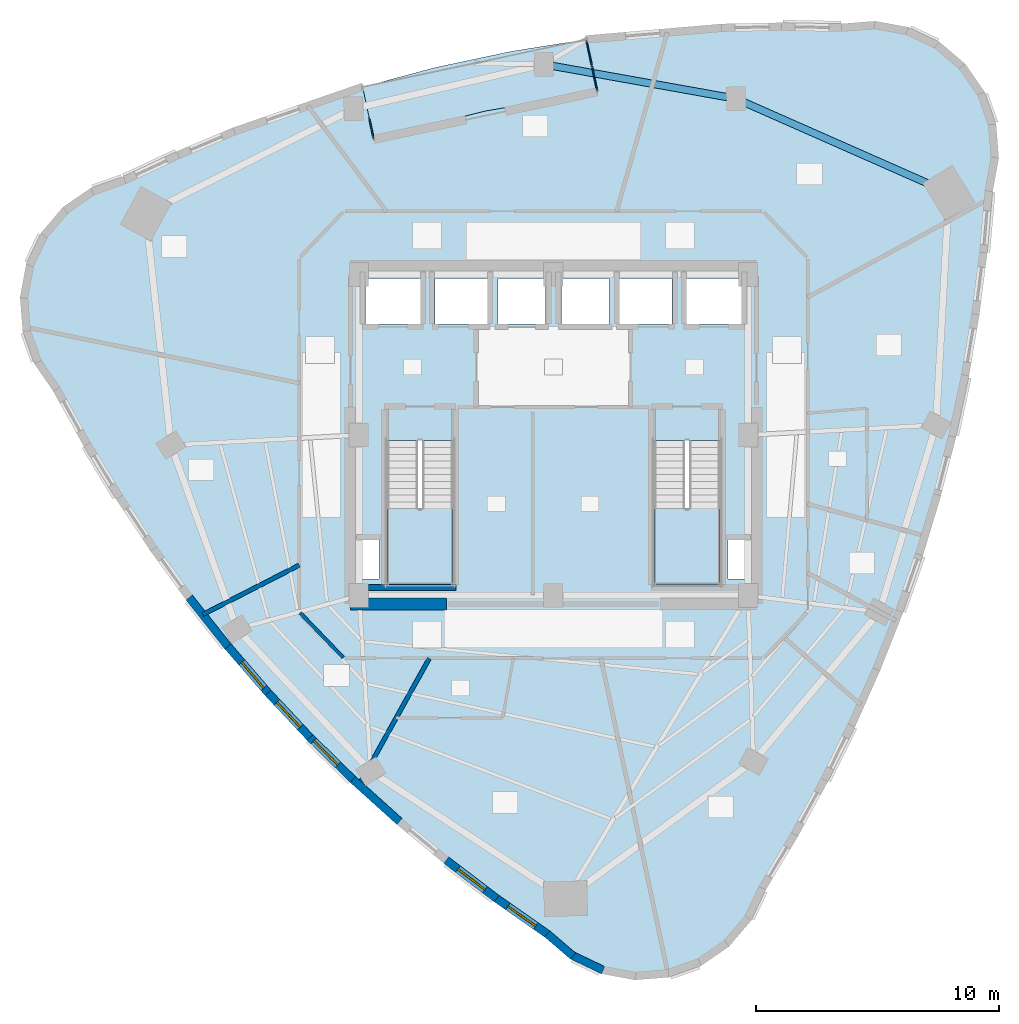
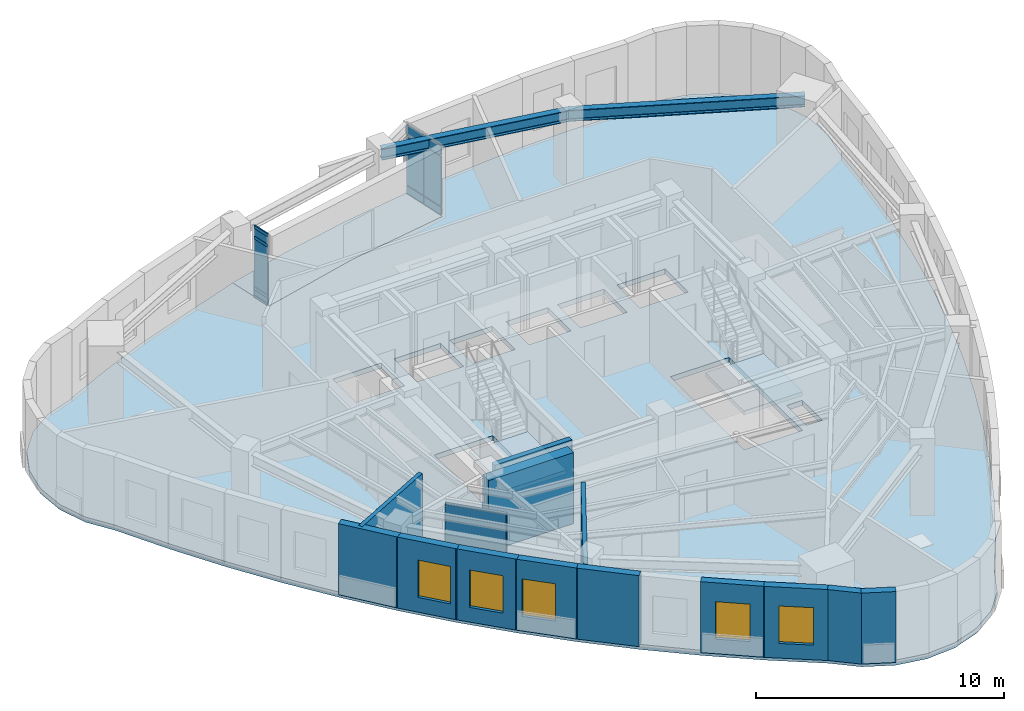
# One storey, part 3 of 10: 14 walls, 9 plates, 5 windows, 4 members, 4 slabs, 2 beams, 5 openings, 4 elements without a shape of their own.
"""IFC4 building model written with IfcOpenShell, lengths in metres."""

from ifc_helpers import new_model, si_unit, direction, frame, frame_2d, origin, origin_2d, place, context, subcontext, project, spatial, polyline, rectangle, hollow_rectangle, i_section, outline, extrude, material, layer, layer_set, material_profile, profile_set, type_object, element, fill, aggregate, save


model = new_model("IFC4")

# Units and contexts
model_context = context("Model", 3, precision=1e-05, world=origin(), true_north=direction((0.0, 1.0)))
body_context = subcontext(model_context, "Body", "Model", "MODEL_VIEW")
ifc_project = project(units=[si_unit("LENGTHUNIT", "METRE"), si_unit("AREAUNIT", "SQUARE_METRE"), si_unit("VOLUMEUNIT", "CUBIC_METRE"), si_unit("PLANEANGLEUNIT", "RADIAN"), si_unit("MASSUNIT", "GRAM", prefix="KILO")], contexts=[model_context])

# Site, building, storey
site_placement = place(None, origin())
site = spatial("IfcSite", under=ifc_project, at=site_placement, CompositionType="ELEMENT")
building_placement = place(site_placement, origin())
building = spatial("IfcBuilding", under=site, at=building_placement, Name="Ndelora Gate Hotel", CompositionType="ELEMENT")
storey_placement = place(building_placement, frame((0.0, 0.0, 251.14990234375)))
storey = spatial("IfcBuildingStorey", under=building, at=storey_placement, Name="L63", CompositionType="ELEMENT", Elevation=251.14990234375)

# Beams
ifc_material_1 = material(Name="Steel S355", Category="steel")
ifc_material_profile_1 = material_profile(ifc_material_1, i_section(OverallWidth=0.300048828125, OverallDepth=0.550048828125, WebThickness=0.014892578125, FlangeThickness=0.029052734375, FilletRadius=0.027099609375, at=origin_2d()), Name="HEB 550")
ifc_profile_set_1 = profile_set([ifc_material_profile_1], Name="Steel S355")
beam_type = type_object("IfcBeamType", Name="BM-RING-550", PredefinedType="SPANDREL", material=ifc_profile_set_1)
beam_1_placement = place(storey_placement, frame((16.26025390625, 9.96435546875, 3.215087890625), z_axis=(-0.914807449647, 0.403890245078, 0.0), x_axis=(-0.403890245078, -0.914807449647, 0.0)))
element("IfcBeam", 1, at=beam_1_placement, inside=storey, type_object=beam_type, Name="L63 Perimeter Spandrel Girder 9", PredefinedType="SPANDREL", context=body_context, shape_type="SweptSolid", body=[
    extrude(i_section(OverallWidth=0.300048828125, OverallDepth=0.550048828125, WebThickness=0.014892578125, FlangeThickness=0.029052734375, FilletRadius=0.027099609375, at=origin_2d()), origin(), (0.0, 0.0, 1.0), 9.56689453125),
])
beam_2_placement = place(storey_placement, frame((7.50830078125, 13.828369140625, 3.215087890625), z_axis=(-0.984373619655, 0.176092523767, 0.0), x_axis=(-0.176092523767, -0.984373619655, 0.0)))
element("IfcBeam", 2, at=beam_2_placement, inside=storey, type_object=beam_type, Name="L63 Perimeter Spandrel Girder 10", PredefinedType="SPANDREL", context=body_context, shape_type="SweptSolid", body=[
    extrude(i_section(OverallWidth=0.300048828125, OverallDepth=0.550048828125, WebThickness=0.014892578125, FlangeThickness=0.029052734375, FilletRadius=0.027099609375, at=origin_2d()), origin(), (0.0, 0.0, 1.0), 8.032958984375),
])

# Curtain wall, members
ifc_material_2 = material(Name="Bronze Anodised Unitised Aluminium and Low-E Glass", Category="aluminium")
ifc_layer_1 = layer(ifc_material_2, 0.199951171875)
ifc_layer_set_1 = layer_set([ifc_layer_1], Name="Bronze Anodised Unitised Aluminium and Low-E Glass")
curtain_wall_type = type_object("IfcCurtainWallType", Name="CW-SYS-3", PredefinedType="NOTDEFINED", material=ifc_layer_set_1)
curtain_wall_1_placement = place(storey_placement, origin())
curtain_wall_1 = element("IfcCurtainWall", 3, at=curtain_wall_1_placement, inside=storey, type_object=curtain_wall_type, Name="L63 Sky-Garden Loggia Side Curtain Wall CW3-2", PredefinedType="NOTDEFINED")
ifc_material_3 = material(Name="Bronze Anodised Aluminium 6063-T6", Category="aluminium")
ifc_material_profile_2 = material_profile(ifc_material_3, hollow_rectangle(XDim=0.06494140625, YDim=0.159912109375, WallThickness=0.00390625, InnerFilletRadius=0.00390625, OuterFilletRadius=0.008056640625, at=origin_2d()), Name="ALU 160x65x4")
ifc_profile_set_2 = profile_set([ifc_material_profile_2], Name="Bronze Anodised Aluminium 6063-T6")
member_type = type_object("IfcMemberType", Name="MB-CW-TRN150", PredefinedType="USERDEFINED", material=ifc_profile_set_2)
member_1_placement = place(storey_placement, frame((-7.572998046875, 13.0224609375, 0.03271484375), z_axis=(0.207787852876, -0.978173915108, 0.0), x_axis=(0.978173915108, 0.207787852876, 0.0)))
member_1 = element("IfcMember", 4, at=member_1_placement, type_object=member_type, Name="CW3 transom 1.1", ObjectType="TRANSOM", PredefinedType="USERDEFINED", context=body_context, shape_type="SweptSolid", body=[
    extrude(hollow_rectangle(XDim=0.06494140625, YDim=0.159912109375, WallThickness=0.00390625, InnerFilletRadius=0.00390625, OuterFilletRadius=0.008056640625, at=origin_2d()), origin(), (0.0, 0.0, 1.0), 0.82373046875),
])
member_2_placement = place(storey_placement, frame((-7.572998046875, 13.0224609375, 0.4501953125), z_axis=(0.207787852876, -0.978173915108, 0.0), x_axis=(0.978173915108, 0.207787852876, 0.0)))
member_2 = element("IfcMember", 5, at=member_2_placement, type_object=member_type, Name="CW3 transom 1.2", ObjectType="TRANSOM", PredefinedType="USERDEFINED", context=body_context, shape_type="SweptSolid", body=[
    extrude(hollow_rectangle(XDim=0.06494140625, YDim=0.159912109375, WallThickness=0.00390625, InnerFilletRadius=0.00390625, OuterFilletRadius=0.008056640625, at=origin_2d()), origin(), (0.0, 0.0, 1.0), 0.82373046875),
])
member_3_placement = place(storey_placement, frame((-7.572998046875, 13.0224609375, 2.940185546875), z_axis=(0.207787852876, -0.978173915108, 0.0), x_axis=(0.978173915108, 0.207787852876, 0.0)))
member_3 = element("IfcMember", 6, at=member_3_placement, type_object=member_type, Name="CW3 transom 1.3", ObjectType="TRANSOM", PredefinedType="USERDEFINED", context=body_context, shape_type="SweptSolid", body=[
    extrude(hollow_rectangle(XDim=0.06494140625, YDim=0.159912109375, WallThickness=0.00390625, InnerFilletRadius=0.00390625, OuterFilletRadius=0.008056640625, at=origin_2d()), origin(), (0.0, 0.0, 1.0), 0.82373046875),
])
member_4_placement = place(storey_placement, frame((-7.572998046875, 13.0224609375, 3.45751953125), z_axis=(0.207787852876, -0.978173915108, 0.0), x_axis=(0.978173915108, 0.207787852876, 0.0)))
member_4 = element("IfcMember", 7, at=member_4_placement, type_object=member_type, Name="CW3 transom 1.4", ObjectType="TRANSOM", PredefinedType="USERDEFINED", context=body_context, shape_type="SweptSolid", body=[
    extrude(hollow_rectangle(XDim=0.06494140625, YDim=0.159912109375, WallThickness=0.00390625, InnerFilletRadius=0.00390625, OuterFilletRadius=0.008056640625, at=origin_2d()), origin(), (0.0, 0.0, 1.0), 0.82373046875),
])

# Curtain wall, plates
curtain_wall_2_placement = place(storey_placement, origin())
curtain_wall_2 = element("IfcCurtainWall", 8, at=curtain_wall_2_placement, inside=storey, type_object=curtain_wall_type, Name="L63 Sky-Garden Loggia Side Curtain Wall CW3-1", PredefinedType="NOTDEFINED")
ifc_material_4 = material(Name="Solar-Control Low-E Insulated Glazing", Category="glass")
ifc_layer_2 = layer(ifc_material_4, 0.048095703125)
ifc_layer_set_2 = layer_set([ifc_layer_2], Name="Solar-Control Low-E Insulated Glazing")
plate_type = type_object("IfcPlateType", Name="PL-CW-GLZ36", PredefinedType="CURTAIN_PANEL", material=ifc_layer_set_2)
plate_1_placement = place(storey_placement, frame((1.687255859375, 14.66748046875, 0.05908203125), z_axis=(0.0, 0.0, 1.0), x_axis=(-0.207911488567, 0.978147643724, 0.0)))
plate_1 = element("IfcPlate", 9, at=plate_1_placement, type_object=plate_type, Name="CW3 panel 1.1", PredefinedType="CURTAIN_PANEL", context=body_context, shape_type="SweptSolid", body=[
    extrude(rectangle(XDim=1.014404296875, YDim=0.048095703125, at=origin_2d()), origin(), (0.0, 0.0, 1.0), 0.364501953125),
])
plate_2_placement = place(storey_placement, frame((1.687255859375, 14.66748046875, 0.4765625), z_axis=(0.0, 0.0, 1.0), x_axis=(-0.207911488567, 0.978147643724, 0.0)))
plate_2 = element("IfcPlate", 10, at=plate_2_placement, type_object=plate_type, Name="CW3 panel 1.2", PredefinedType="CURTAIN_PANEL", context=body_context, shape_type="SweptSolid", body=[
    extrude(rectangle(XDim=1.014404296875, YDim=0.048095703125, at=origin_2d()), origin(), (0.0, 0.0, 1.0), 2.43701171875),
])
plate_3_placement = place(storey_placement, frame((1.687255859375, 14.66748046875, 2.96630859375), z_axis=(0.0, 0.0, 1.0), x_axis=(-0.207911488567, 0.978147643724, 0.0)))
plate_3 = element("IfcPlate", 11, at=plate_3_placement, type_object=plate_type, Name="CW3 panel 1.3", PredefinedType="CURTAIN_PANEL", context=body_context, shape_type="SweptSolid", body=[
    extrude(rectangle(XDim=1.014404296875, YDim=0.048095703125, at=origin_2d()), origin(), (0.0, 0.0, 1.0), 0.464599609375),
])
plate_4_placement = place(storey_placement, frame((1.46533203125, 15.711669921875, 0.05908203125), z_axis=(0.0, 0.0, 1.0), x_axis=(-0.207911488567, 0.978147643724, 0.0)))
plate_4 = element("IfcPlate", 12, at=plate_4_placement, type_object=plate_type, Name="CW3 panel 2.1", PredefinedType="CURTAIN_PANEL", context=body_context, shape_type="SweptSolid", body=[
    extrude(rectangle(XDim=1.014404296875, YDim=0.048095703125, at=origin_2d()), origin(), (0.0, 0.0, 1.0), 0.364501953125),
])
plate_5_placement = place(storey_placement, frame((1.46533203125, 15.711669921875, 0.4765625), z_axis=(0.0, 0.0, 1.0), x_axis=(-0.207911488567, 0.978147643724, 0.0)))
plate_5 = element("IfcPlate", 13, at=plate_5_placement, type_object=plate_type, Name="CW3 panel 2.2", PredefinedType="CURTAIN_PANEL", context=body_context, shape_type="SweptSolid", body=[
    extrude(rectangle(XDim=1.014404296875, YDim=0.048095703125, at=origin_2d()), origin(), (0.0, 0.0, 1.0), 2.43701171875),
])
plate_6_placement = place(storey_placement, frame((1.46533203125, 15.711669921875, 2.96630859375), z_axis=(0.0, 0.0, 1.0), x_axis=(-0.207911488567, 0.978147643724, 0.0)))
plate_6 = element("IfcPlate", 14, at=plate_6_placement, type_object=plate_type, Name="CW3 panel 2.3", PredefinedType="CURTAIN_PANEL", context=body_context, shape_type="SweptSolid", body=[
    extrude(rectangle(XDim=1.014404296875, YDim=0.048095703125, at=origin_2d()), origin(), (0.0, 0.0, 1.0), 0.464599609375),
])
aggregate(curtain_wall_2, [plate_1, plate_2, plate_3, plate_4, plate_5, plate_6])

# Plate
plate_7_placement = place(storey_placement, frame((-7.4873046875, 12.61962890625, 0.05908203125), z_axis=(0.0, 0.0, 1.0), x_axis=(0.207947668555, -0.978139952738, 0.0)))
plate_7 = element("IfcPlate", 15, at=plate_7_placement, type_object=plate_type, Name="CW3 panel 1.1", PredefinedType="CURTAIN_PANEL", context=body_context, shape_type="SweptSolid", body=[
    extrude(rectangle(XDim=0.823486328125, YDim=0.048095703125, at=origin_2d()), origin(), (0.0, 0.0, 1.0), 0.364501953125),
])

plate_8_placement = place(storey_placement, frame((-7.4873046875, 12.61962890625, 0.4765625), z_axis=(0.0, 0.0, 1.0), x_axis=(0.207947668555, -0.978139952738, 0.0)))
plate_8 = element("IfcPlate", 16, at=plate_8_placement, type_object=plate_type, Name="CW3 panel 1.2", PredefinedType="CURTAIN_PANEL", context=body_context, shape_type="SweptSolid", body=[
    extrude(rectangle(XDim=0.823486328125, YDim=0.048095703125, at=origin_2d()), origin(), (0.0, 0.0, 1.0), 2.43701171875),
])

plate_9_placement = place(storey_placement, frame((-7.4873046875, 12.61962890625, 2.96630859375), z_axis=(0.0, 0.0, 1.0), x_axis=(0.207947668555, -0.978139952738, 0.0)))
plate_9 = element("IfcPlate", 17, at=plate_9_placement, type_object=plate_type, Name="CW3 panel 1.3", PredefinedType="CURTAIN_PANEL", context=body_context, shape_type="SweptSolid", body=[
    extrude(rectangle(XDim=0.823486328125, YDim=0.048095703125, at=origin_2d()), origin(), (0.0, 0.0, 1.0), 0.464599609375),
])

aggregate(curtain_wall_1, [member_1, member_2, member_3, member_4, plate_7, plate_8, plate_9])

# Stair, slab
ifc_material_5 = material(Name="Precast concrete C40/50", Category="concrete")
stair_type = type_object("IfcStairType", Name="STR-DOG-CORE", PredefinedType="HALF_TURN_STAIR", material=ifc_material_5)
stair_1_placement = place(storey_placement, origin())
stair_1 = element("IfcStair", 18, at=stair_1_placement, inside=storey, type_object=stair_type, Name="L63 Protected Core Exit Stair ST4", PredefinedType="HALF_TURN_STAIR")
ifc_layer_3 = layer(ifc_material_5, 0.219970703125)
ifc_layer_set_3 = layer_set([ifc_layer_3], Name="Precast concrete C40/50")
slab_type_1 = type_object("IfcSlabType", Name="SL-LAND-220", PredefinedType="LANDING", material=ifc_layer_set_3)
slab_1_placement = place(storey_placement, frame((0.0, 0.0, 1.7001953125)))
slab_1 = element("IfcSlab", 19, at=slab_1_placement, type_object=slab_type_1, Name="ST4 landing 1", PredefinedType="LANDING", context=body_context, shape_type="SweptSolid", body=[
    extrude(outline(polyline([(-6.85009765625, -3.030029296875), (-6.85009765625, -6.14990234375), (-4.1298828125, -6.14990234375), (-4.1298828125, -3.030029296875), (-6.85009765625, -3.030029296875)])), origin(), (0.0, 0.0, 1.0), 0.199951171875),
])
aggregate(stair_1, [slab_1])

stair_2_placement = place(storey_placement, origin())
stair_2 = element("IfcStair", 20, at=stair_2_placement, inside=storey, type_object=stair_type, Name="L63 Protected Core Exit Stair ST5", PredefinedType="HALF_TURN_STAIR")
slab_2_placement = place(storey_placement, frame((0.0, 0.0, 1.7001953125)))
slab_2 = element("IfcSlab", 21, at=slab_2_placement, type_object=slab_type_1, Name="ST5 landing 1", PredefinedType="LANDING", context=body_context, shape_type="SweptSolid", body=[
    extrude(outline(polyline([(4.1298828125, -3.030029296875), (4.1298828125, -6.14990234375), (6.85009765625, -6.14990234375), (6.85009765625, -3.030029296875), (4.1298828125, -3.030029296875)])), origin(), (0.0, 0.0, 1.0), 0.199951171875),
])
aggregate(stair_2, [slab_2])

# Slabs
ifc_layer_4 = layer(ifc_material_5, 0.239990234375)
ifc_layer_set_4 = layer_set([ifc_layer_4], Name="Precast concrete C40/50")
slab_type_2 = type_object("IfcSlabType", Name="SL-TER-240", PredefinedType="FLOOR", material=ifc_layer_set_4)
slab_3_placement = place(storey_placement, frame((0.0, 0.0, -0.239990234375)))
element("IfcSlab", 22, at=slab_3_placement, inside=storey, type_object=slab_type_2, Name="L63 Sky Garden Loggia Terrace Slab", PredefinedType="FLOOR", context=body_context, shape_type="SweptSolid", body=[
    extrude(outline(polyline([(1.80517578125, 14.113525390625), (1.34765625, 16.265380859375), (-1.720458984375, 15.780029296875), (-4.8466796875, 15.115478515625), (-7.846923828125, 14.311279296875), (-7.389404296875, 12.1591796875), (-2.83056640625, 13.316650390625), (1.80517578125, 14.113525390625)])), origin(), (0.0, 0.0, 1.0), 0.239990234375),
])
ifc_material_6 = material(Name="Concrete C40/50", Category="concrete")
ifc_layer_5 = layer(ifc_material_6, 0.25)
ifc_layer_set_5 = layer_set([ifc_layer_5], Name="Concrete C40/50")
slab_type_3 = type_object("IfcSlabType", Name="SL-TWR-250", PredefinedType="FLOOR", material=ifc_layer_set_5)
slab_4_placement = place(storey_placement, frame((0.0, 0.0, -0.25)))
element("IfcSlab", 23, at=slab_4_placement, inside=storey, type_object=slab_type_3, Name="L63 Structural Floor Slab", PredefinedType="FLOOR", context=body_context, shape_type="SweptSolid", body=[
    extrude(outline(polyline([(-17.656494140625, 10.471923828125), (-18.93603515625, 10.018798828125), (-20.0546875, 9.25), (-20.936279296875, 8.2177734375), (-21.520751953125, 6.992431640625), (-21.768310546875, 5.65771484375), (-21.66162109375, 4.304443359375), (-21.20849609375, 3.02490234375), (-20.439697265625, 1.90625), (-19.187744140625, -0.351806640625), (-17.857666015625, -2.5390625), (-16.448974609375, -4.655517578125), (-14.9619140625, -6.70166015625), (-13.396240234375, -8.677001953125), (-11.752197265625, -10.581787109375), (-10.02978515625, -12.415771484375), (-8.228759765625, -14.17919921875), (-6.349609375, -15.872314453125), (-4.3916015625, -17.494384765625), (-2.35546875, -19.0458984375), (-0.24072265625, -20.52685546875), (0.79150390625, -21.408447265625), (2.0166015625, -21.992919921875), (3.351318359375, -22.240234375), (4.70458984375, -22.1337890625), (5.984375, -21.6806640625), (7.10302734375, -20.911865234375), (7.984619140625, -19.879638671875), (8.569091796875, -18.654296875), (9.8984375, -16.44140625), (11.127685546875, -14.195556640625), (12.25634765625, -11.91748046875), (13.28466796875, -9.6064453125), (14.212646484375, -7.262939453125), (15.0400390625, -4.88671875), (15.767333984375, -2.47802734375), (16.39404296875, -0.03662109375), (16.92041015625, 2.437255859375), (17.346435546875, 4.94384765625), (17.672119140625, 7.483154296875), (17.897216796875, 10.054931640625), (18.14453125, 11.3896484375), (18.0380859375, 12.742919921875), (17.5849609375, 14.0224609375), (16.816162109375, 15.141357421875), (15.783935546875, 16.02294921875), (14.55859375, 16.607421875), (13.223876953125, 16.854736328125), (11.87060546875, 16.748291015625), (9.39208984375, 16.793212890625), (6.933837890625, 16.7431640625), (1.34765625, 16.265380859375), (1.80517578125, 14.113525390625), (-2.83056640625, 13.316650390625), (-7.389404296875, 12.1591796875), (-7.846923828125, 14.311279296875), (-13.14453125, 12.475341796875), (-15.41064453125, 11.521240234375), (-17.656494140625, 10.471923828125)]), holes=[polyline([(-6.85009765625, -0.22998046875), (-6.85009765625, -6.14990234375), (-4.1298828125, -6.14990234375), (-4.1298828125, -0.22998046875), (-6.85009765625, -0.22998046875)]), polyline([(4.1298828125, -0.22998046875), (4.1298828125, -6.14990234375), (6.85009765625, -6.14990234375), (6.85009765625, -0.22998046875), (4.1298828125, -0.22998046875)]), polyline([(-7.72998046875, 4.570068359375), (-5.469970703125, 4.570068359375), (-5.469970703125, 6.429931640625), (-7.72998046875, 6.429931640625), (-7.72998046875, 4.570068359375)]), polyline([(5.469970703125, 4.570068359375), (7.72998046875, 4.570068359375), (7.72998046875, 6.429931640625), (5.469970703125, 6.429931640625), (5.469970703125, 4.570068359375)]), polyline([(-4.8798828125, 4.570068359375), (-2.719970703125, 4.570068359375), (-2.719970703125, 6.429931640625), (-4.8798828125, 6.429931640625), (-4.8798828125, 4.570068359375)]), polyline([(2.719970703125, 4.570068359375), (4.8798828125, 4.570068359375), (4.8798828125, 6.429931640625), (2.719970703125, 6.429931640625), (2.719970703125, 4.570068359375)]), polyline([(-2.280029296875, 4.570068359375), (-0.320068359375, 4.570068359375), (-0.320068359375, 6.429931640625), (-2.280029296875, 6.429931640625), (-2.280029296875, 4.570068359375)]), polyline([(0.320068359375, 4.570068359375), (2.280029296875, 4.570068359375), (2.280029296875, 6.429931640625), (0.320068359375, 6.429931640625), (0.320068359375, 4.570068359375)]), polyline([(-7.89990234375, -5.919921875), (-7.179931640625, -5.919921875), (-7.179931640625, -4.320068359375), (-7.89990234375, -4.320068359375), (-7.89990234375, -5.919921875)]), polyline([(7.179931640625, -5.919921875), (7.89990234375, -5.919921875), (7.89990234375, -4.320068359375), (7.179931640625, -4.320068359375), (7.179931640625, -5.919921875)])]), origin(), (0.0, 0.0, 1.0), 0.25),
])

# Walls
ifc_material_7 = material(Name="Acoustic Double-Stud Gypsum Assembly", Category="gypsum")
ifc_layer_6 = layer(ifc_material_7, 0.179931640625)
ifc_layer_set_6 = layer_set([ifc_layer_6], Name="Acoustic Double-Stud Gypsum Assembly")
wall_type_1 = type_object("IfcWallType", Name="WL-ACOUST-180", PredefinedType="PARTITIONING", material=ifc_layer_set_6)
wall_1_placement = place(storey_placement, frame((-10.449951171875, -5.34765625, 0.0), z_axis=(0.0, 0.0, 1.0), x_axis=(-0.890198125896, -0.455573590819, 0.0)))
element("IfcWall", 24, at=wall_1_placement, inside=storey, type_object=wall_type_1, Name="L63 Interior Wall IW-3", PredefinedType="PARTITIONING", context=body_context, shape_type="SweptSolid", body=[
    extrude(rectangle(XDim=4.46337890625, YDim=0.179931640625, at=frame_2d((2.231689453125, 0.0))), origin(), (0.0, 0.0, 1.0), 3.489990234375),
])
wall_2_placement = place(storey_placement, frame((-5.10400390625, -9.179931640625, 0.0), z_axis=(0.0, 0.0, 1.0), x_axis=(-0.485931716626, -0.873996777327, 0.0)))
element("IfcWall", 25, at=wall_2_placement, inside=storey, type_object=wall_type_1, Name="L63 Interior Wall IW-3", PredefinedType="PARTITIONING", context=body_context, shape_type="SweptSolid", body=[
    extrude(rectangle(XDim=5.957275390625, YDim=0.179931640625, at=frame_2d((2.978515625, 0.0))), origin(), (0.0, 0.0, 1.0), 3.489990234375),
])
ifc_material_8 = material(Name="Clay Brick Masonry", Category="masonry")
ifc_layer_7 = layer(ifc_material_8, 0.330078125)
ifc_layer_set_7 = layer_set([ifc_layer_7], Name="Clay Brick Masonry")
wall_type_2 = type_object("IfcWallType", Name="WL-BRICK-330", PredefinedType="SOLIDWALL", material=ifc_layer_set_7)
wall_3_placement = place(storey_placement, frame((-13.380615234375, -8.696533203125, 0.0), z_axis=(0.0, 0.0, 1.0), x_axis=(-0.621121262794, 0.783714474094, 0.0)))
element("IfcWall", 26, at=wall_3_placement, inside=storey, type_object=wall_type_2, Name="L63 Tower Brick Pier-and-Spandrel Wall TWR-13", PredefinedType="SOLIDWALL", context=body_context, shape_type="SweptSolid", body=[
    extrude(rectangle(XDim=2.570556640625, YDim=0.330078125, at=frame_2d((1.28515625, 0.0))), origin(), (0.0, 0.0, 1.0), 3.489990234375),
])

# Wall, opening, window
wall_4_placement = place(storey_placement, frame((-11.73583984375, -10.6005859375, 0.0), z_axis=(0.0, 0.0, 1.0), x_axis=(-0.653451409245, 0.756968464175, 0.0)))
wall_4 = element("IfcWall", 27, at=wall_4_placement, inside=storey, type_object=wall_type_2, Name="L63 Tower Brick Pier-and-Spandrel Wall TWR-14", PredefinedType="SOLIDWALL", context=body_context, shape_type="SweptSolid", body=[
    extrude(rectangle(XDim=2.56591796875, YDim=0.330078125, at=frame_2d((1.282958984375, 0.0))), origin(), (0.0, 0.0, 1.0), 3.489990234375),
])
opening_1_placement = place(wall_4_placement, frame((0.260009765625, 0.0, 0.719970703125)))
opening_1 = element("IfcOpeningElement", 28, at=opening_1_placement, cuts=wall_4, Name="Opening W02", PredefinedType="OPENING", context=body_context, shape_type="SweptSolid", body=[
    extrude(rectangle(XDim=1.39990234375, YDim=1.840087890625, at=frame_2d((0.699951171875, 0.919921875))), frame((0.0, 0.175048828125, 0.0), z_axis=(0.0, -1.0, 0.0), x_axis=(1.0, 0.0, 0.0)), (0.0, 0.0, 1.0), 0.35009765625),
])
ifc_material_9 = material(Name="Insulated Low-E Double Glazing in Bronze Aluminium Frame", Category="aluminium")
window_type = type_object("IfcWindowType", Name="WN-DEEP-1400", PartitioningType="SINGLE_PANEL", PredefinedType="WINDOW", material=ifc_material_9)
window_1_placement = place(opening_1_placement, origin())
window_1 = element("IfcWindow", 29, at=window_1_placement, inside=storey, type_object=window_type, Name="L63 Deep-Set Brick-Pier Window W02", OverallHeight=1.840087890625, OverallWidth=1.39990234375, PartitioningType="SINGLE_PANEL", PredefinedType="WINDOW", context=body_context, shape_type="SweptSolid", body=[
    extrude(rectangle(XDim=1.39990234375, YDim=1.840087890625, at=frame_2d((0.699951171875, 0.919921875))), frame((0.0, 0.030029296875, 0.0), z_axis=(0.0, -1.0, 0.0), x_axis=(1.0, 0.0, 0.0)), (0.0, 0.0, 1.0), 0.06005859375),
])
fill(opening_1, window_1)

wall_5_placement = place(storey_placement, frame((-10.0126953125, -12.43408203125, 0.0), z_axis=(0.0, 0.0, 1.0), x_axis=(-0.684542205885, 0.728973228838, 0.0)))
wall_5 = element("IfcWall", 30, at=wall_5_placement, inside=storey, type_object=wall_type_2, Name="L63 Tower Brick Pier-and-Spandrel Wall TWR-15", PredefinedType="SOLIDWALL", context=body_context, shape_type="SweptSolid", body=[
    extrude(rectangle(XDim=2.566162109375, YDim=0.330078125, at=frame_2d((1.283203125, 0.0))), origin(), (0.0, 0.0, 1.0), 3.489990234375),
])
opening_2_placement = place(wall_5_placement, frame((0.5830078125, 0.0, 0.719970703125)))
opening_2 = element("IfcOpeningElement", 31, at=opening_2_placement, cuts=wall_5, Name="Opening W02", PredefinedType="OPENING", context=body_context, shape_type="SweptSolid", body=[
    extrude(rectangle(XDim=1.39990234375, YDim=1.840087890625, at=frame_2d((0.699951171875, 0.919921875))), frame((0.0, 0.175048828125, 0.0), z_axis=(0.0, -1.0, 0.0), x_axis=(1.0, 0.0, 0.0)), (0.0, 0.0, 1.0), 0.35009765625),
])
window_2_placement = place(opening_2_placement, origin())
window_2 = element("IfcWindow", 32, at=window_2_placement, inside=storey, type_object=window_type, Name="L63 Deep-Set Brick-Pier Window W02", OverallHeight=1.840087890625, OverallWidth=1.39990234375, PartitioningType="SINGLE_PANEL", PredefinedType="WINDOW", context=body_context, shape_type="SweptSolid", body=[
    extrude(rectangle(XDim=1.39990234375, YDim=1.840087890625, at=frame_2d((0.699951171875, 0.919921875))), frame((0.0, 0.030029296875, 0.0), z_axis=(0.0, -1.0, 0.0), x_axis=(1.0, 0.0, 0.0)), (0.0, 0.0, 1.0), 0.06005859375),
])
fill(opening_2, window_2)

wall_6_placement = place(storey_placement, frame((-8.2109375, -14.19677734375, 0.0), z_axis=(0.0, 0.0, 1.0), x_axis=(-0.714475808012, 0.699660145903, 0.0)))
wall_6 = element("IfcWall", 33, at=wall_6_placement, inside=storey, type_object=wall_type_2, Name="L63 Tower Brick Pier-and-Spandrel Wall TWR-16", PredefinedType="SOLIDWALL", context=body_context, shape_type="SweptSolid", body=[
    extrude(rectangle(XDim=2.570556640625, YDim=0.330078125, at=frame_2d((1.28515625, 0.0))), origin(), (0.0, 0.0, 1.0), 3.489990234375),
])
opening_3_placement = place(wall_6_placement, frame((0.91064453125, 0.0, 0.719970703125)))
opening_3 = element("IfcOpeningElement", 34, at=opening_3_placement, cuts=wall_6, Name="Opening W02", PredefinedType="OPENING", context=body_context, shape_type="SweptSolid", body=[
    extrude(rectangle(XDim=1.39990234375, YDim=1.840087890625, at=frame_2d((0.699951171875, 0.919921875))), frame((0.0, 0.175048828125, 0.0), z_axis=(0.0, -1.0, 0.0), x_axis=(1.0, 0.0, 0.0)), (0.0, 0.0, 1.0), 0.35009765625),
])
window_3_placement = place(opening_3_placement, origin())
window_3 = element("IfcWindow", 35, at=window_3_placement, inside=storey, type_object=window_type, Name="L63 Deep-Set Brick-Pier Window W02", OverallHeight=1.840087890625, OverallWidth=1.39990234375, PartitioningType="SINGLE_PANEL", PredefinedType="WINDOW", context=body_context, shape_type="SweptSolid", body=[
    extrude(rectangle(XDim=1.39990234375, YDim=1.840087890625, at=frame_2d((0.699951171875, 0.919921875))), frame((0.0, 0.030029296875, 0.0), z_axis=(0.0, -1.0, 0.0), x_axis=(1.0, 0.0, 0.0)), (0.0, 0.0, 1.0), 0.06005859375),
])
fill(opening_3, window_3)

# Wall
wall_7_placement = place(storey_placement, frame((-6.330810546875, -15.888916015625, 0.0), z_axis=(0.0, 0.0, 1.0), x_axis=(-0.743011695314, 0.669278432811, 0.0)))
element("IfcWall", 36, at=wall_7_placement, inside=storey, type_object=wall_type_2, Name="L63 Tower Brick Pier-and-Spandrel Wall TWR-17", PredefinedType="SOLIDWALL", context=body_context, shape_type="SweptSolid", body=[
    extrude(rectangle(XDim=2.579345703125, YDim=0.330078125, at=frame_2d((1.28955078125, 0.0))), origin(), (0.0, 0.0, 1.0), 3.489990234375),
])

# Wall, opening, window
wall_8_placement = place(storey_placement, frame((-2.335693359375, -19.061279296875, 0.0), z_axis=(0.0, 0.0, 1.0), x_axis=(-0.795363003268, 0.606133395411, 0.0)))
wall_8 = element("IfcWall", 37, at=wall_8_placement, inside=storey, type_object=wall_type_2, Name="L63 Tower Brick Pier-and-Spandrel Wall TWR-19", PredefinedType="SOLIDWALL", context=body_context, shape_type="SweptSolid", body=[
    extrude(rectangle(XDim=2.610107421875, YDim=0.330078125, at=frame_2d((1.30517578125, 0.0))), origin(), (0.0, 0.0, 1.0), 3.489990234375),
])
opening_4_placement = place(wall_8_placement, frame((0.60498046875, 0.0, 0.719970703125)))
opening_4 = element("IfcOpeningElement", 38, at=opening_4_placement, cuts=wall_8, Name="Opening W02", PredefinedType="OPENING", context=body_context, shape_type="SweptSolid", body=[
    extrude(rectangle(XDim=1.39990234375, YDim=1.840087890625, at=frame_2d((0.699951171875, 0.919921875))), frame((0.0, 0.175048828125, 0.0), z_axis=(0.0, -1.0, 0.0), x_axis=(1.0, 0.0, 0.0)), (0.0, 0.0, 1.0), 0.35009765625),
])
window_4_placement = place(opening_4_placement, origin())
window_4 = element("IfcWindow", 39, at=window_4_placement, inside=storey, type_object=window_type, Name="L63 Deep-Set Brick-Pier Window W02", OverallHeight=1.840087890625, OverallWidth=1.39990234375, PartitioningType="SINGLE_PANEL", PredefinedType="WINDOW", context=body_context, shape_type="SweptSolid", body=[
    extrude(rectangle(XDim=1.39990234375, YDim=1.840087890625, at=frame_2d((0.699951171875, 0.919921875))), frame((0.0, 0.030029296875, 0.0), z_axis=(0.0, -1.0, 0.0), x_axis=(1.0, 0.0, 0.0)), (0.0, 0.0, 1.0), 0.06005859375),
])
fill(opening_4, window_4)

wall_9_placement = place(storey_placement, frame((-0.22021484375, -20.541259765625, 0.0), z_axis=(0.0, 0.0, 1.0), x_axis=(-0.81914474614, 0.573586859047, 0.0)))
wall_9 = element("IfcWall", 40, at=wall_9_placement, inside=storey, type_object=wall_type_2, Name="L63 Tower Brick Pier-and-Spandrel Wall TWR-20", PredefinedType="SOLIDWALL", context=body_context, shape_type="SweptSolid", body=[
    extrude(rectangle(XDim=2.6318359375, YDim=0.330078125, at=frame_2d((1.31591796875, 0.0))), origin(), (0.0, 0.0, 1.0), 3.489990234375),
])
opening_5_placement = place(wall_9_placement, frame((0.61572265625, 0.0, 0.719970703125)))
opening_5 = element("IfcOpeningElement", 41, at=opening_5_placement, cuts=wall_9, Name="Opening W02", PredefinedType="OPENING", context=body_context, shape_type="SweptSolid", body=[
    extrude(rectangle(XDim=1.39990234375, YDim=1.840087890625, at=frame_2d((0.699951171875, 0.919921875))), frame((0.0, 0.175048828125, 0.0), z_axis=(0.0, -1.0, 0.0), x_axis=(1.0, 0.0, 0.0)), (0.0, 0.0, 1.0), 0.35009765625),
])
window_5_placement = place(opening_5_placement, origin())
window_5 = element("IfcWindow", 42, at=window_5_placement, inside=storey, type_object=window_type, Name="L63 Deep-Set Brick-Pier Window W02", OverallHeight=1.840087890625, OverallWidth=1.39990234375, PartitioningType="SINGLE_PANEL", PredefinedType="WINDOW", context=body_context, shape_type="SweptSolid", body=[
    extrude(rectangle(XDim=1.39990234375, YDim=1.840087890625, at=frame_2d((0.699951171875, 0.919921875))), frame((0.0, 0.030029296875, 0.0), z_axis=(0.0, -1.0, 0.0), x_axis=(1.0, 0.0, 0.0)), (0.0, 0.0, 1.0), 0.06005859375),
])
fill(opening_5, window_5)

# Walls
wall_10_placement = place(storey_placement, frame((0.810302734375, -21.4248046875, 0.0), z_axis=(0.0, 0.0, 1.0), x_axis=(-0.760357614302, 0.649504656159, 0.0)))
element("IfcWall", 43, at=wall_10_placement, inside=storey, type_object=wall_type_2, Name="L63 Tower Brick Pier-and-Spandrel Wall TWR-21", PredefinedType="SOLIDWALL", context=body_context, shape_type="SweptSolid", body=[
    extrude(rectangle(XDim=1.4072265625, YDim=0.330078125, at=frame_2d((0.70361328125, 0.0))), origin(), (0.0, 0.0, 1.0), 3.489990234375),
])
wall_11_placement = place(storey_placement, frame((2.039306640625, -22.003662109375, 0.0), z_axis=(0.0, 0.0, 1.0), x_axis=(-0.902597460438, 0.43048556818, 0.0)))
element("IfcWall", 44, at=wall_11_placement, inside=storey, type_object=wall_type_2, Name="L63 Tower Brick Pier-and-Spandrel Wall TWR-22", PredefinedType="SOLIDWALL", context=body_context, shape_type="SweptSolid", body=[
    extrude(rectangle(XDim=1.40771484375, YDim=0.330078125, at=frame_2d((0.703857421875, 0.0))), origin(), (0.0, 0.0, 1.0), 3.489990234375),
])
ifc_material_10 = material(Name="Concrete C50/60", Category="concrete")
ifc_layer_8 = layer(ifc_material_10, 0.5)
ifc_layer_set_8 = layer_set([ifc_layer_8], Name="Concrete C50/60")
wall_type_3 = type_object("IfcWallType", Name="WL-CORE-500", PredefinedType="SHEAR", material=ifc_layer_set_8)
wall_12_placement = place(storey_placement, frame((-8.35009765625, -6.949951171875, 0.0), z_axis=(0.0, 0.0, 1.0), x_axis=(1.0, 0.0, 0.0)))
element("IfcWall", 45, at=wall_12_placement, inside=storey, type_object=wall_type_3, Name="L63 Core Shear Wall S-W", PredefinedType="SHEAR", context=body_context, shape_type="SweptSolid", body=[
    extrude(rectangle(XDim=3.9501953125, YDim=0.5, at=frame_2d((1.97509765625, 0.0))), origin(), (0.0, 0.0, 1.0), 3.489990234375),
])
ifc_material_11 = material(Name="Fire-Rated Gypsum Stud Partition", Category="gypsum")
ifc_layer_9 = layer(ifc_material_11, 0.14990234375)
ifc_layer_set_9 = layer_set([ifc_layer_9], Name="Fire-Rated Gypsum Stud Partition")
wall_type_4 = type_object("IfcWallType", Name="WL-PART-150", PredefinedType="PARTITIONING", material=ifc_layer_set_9)
wall_13_placement = place(storey_placement, frame((-8.647705078125, -9.151123046875, 0.0), z_axis=(0.0, 0.0, 1.0), x_axis=(-0.693764562202, 0.720201869085, 0.0)))
element("IfcWall", 46, at=wall_13_placement, inside=storey, type_object=wall_type_4, Name="L63 Interior Wall IW-5", PredefinedType="PARTITIONING", context=body_context, shape_type="SweptSolid", body=[
    extrude(rectangle(XDim=2.55810546875, YDim=0.14990234375, at=frame_2d((1.279052734375, 0.0))), origin(), (0.0, 0.0, 1.0), 3.170166015625),
])
ifc_layer_10 = layer(ifc_material_10, 0.239990234375)
ifc_layer_set_10 = layer_set([ifc_layer_10], Name="Concrete C50/60")
wall_type_5 = type_object("IfcWallType", Name="WL-STAIR-240", PredefinedType="SHEAR", material=ifc_layer_set_10)
wall_14_placement = place(storey_placement, frame((-7.60009765625, -6.27001953125, 0.0), z_axis=(0.0, 0.0, 1.0), x_axis=(1.0, 0.0, 0.0)))
element("IfcWall", 47, at=wall_14_placement, inside=storey, type_object=wall_type_5, Name="L63 Stair Core Shear Wall SW-ST", PredefinedType="SHEAR", context=body_context, shape_type="SweptSolid", body=[
    extrude(rectangle(XDim=3.590087890625, YDim=0.239990234375, at=frame_2d((1.794921875, 0.0))), origin(), (0.0, 0.0, 1.0), 3.489990234375),
])

save(model, "model.ifc")
